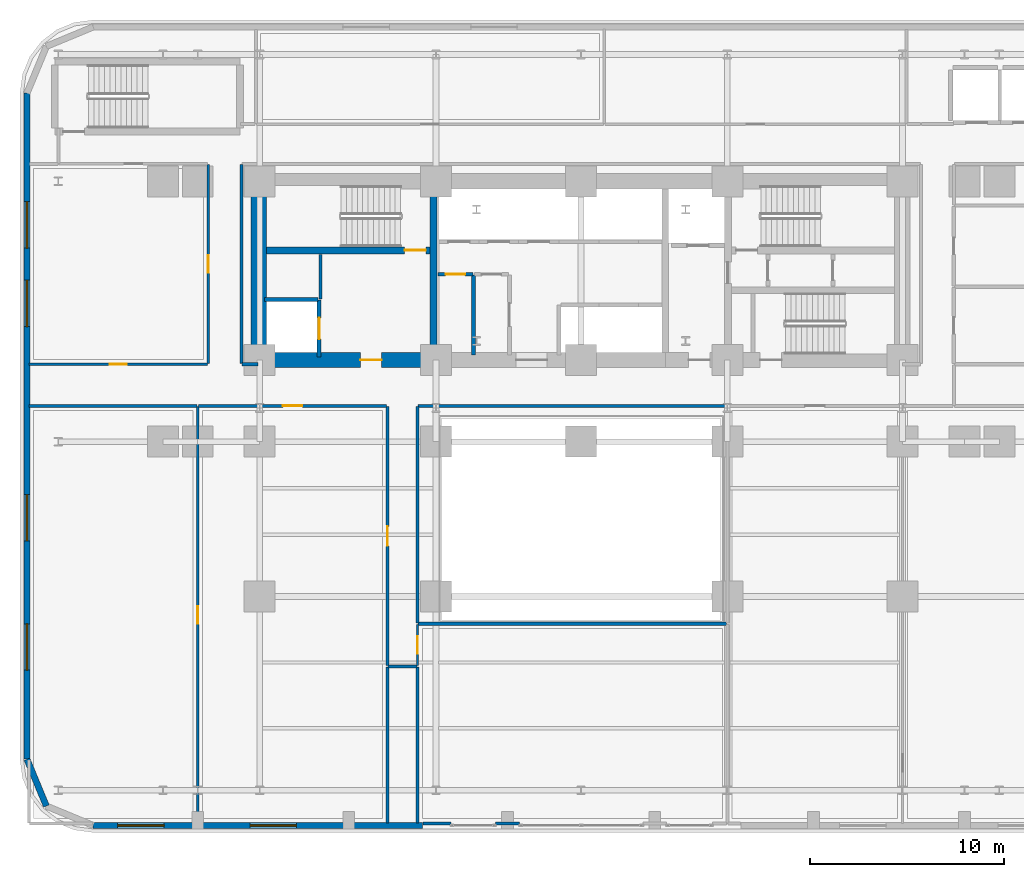
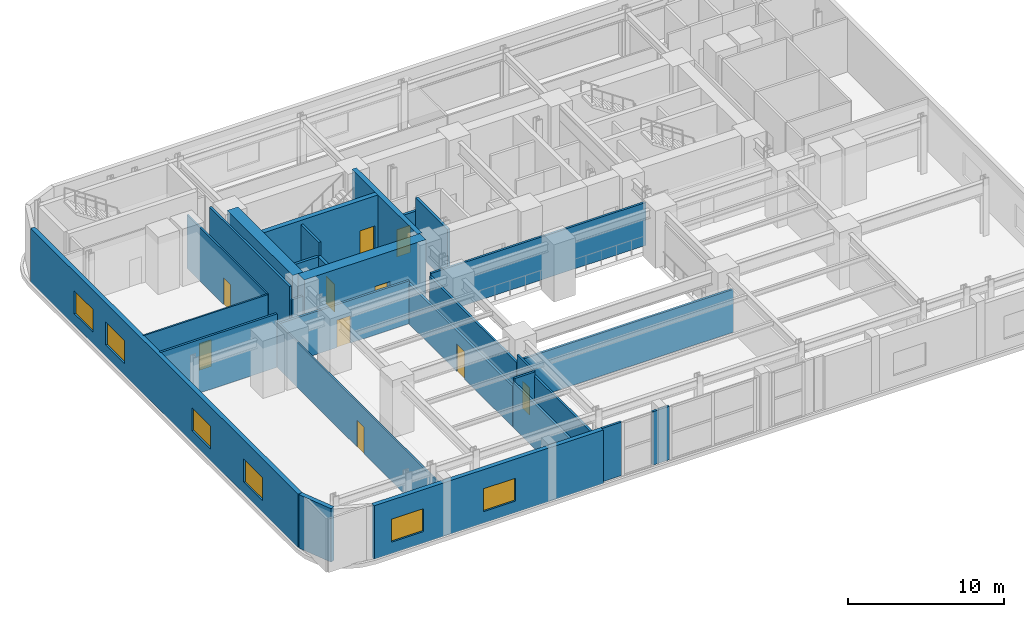
# One storey, part 6 of 14: 29 walls, 10 doors, 6 windows, 16 openings.
"""IFC4 building model written with IfcOpenShell, lengths in metres."""

from ifc_helpers import new_model, si_unit, direction, frame, frame_2d, origin, place, context, subcontext, project, spatial, rectangle, extrude, material, layer, layer_set, type_object, element, fill, save


model = new_model("IFC4")

# Units and contexts
model_context = context("Model", 3, precision=1e-05, world=origin(), true_north=direction((0.0, 1.0)))
body_context = subcontext(model_context, "Body", "Model", "MODEL_VIEW")
ifc_project = project(units=[si_unit("LENGTHUNIT", "METRE"), si_unit("AREAUNIT", "SQUARE_METRE"), si_unit("VOLUMEUNIT", "CUBIC_METRE"), si_unit("PLANEANGLEUNIT", "RADIAN"), si_unit("MASSUNIT", "GRAM", prefix="KILO")], contexts=[model_context])

# Site, building, storey
site_placement = place(None, origin())
site = spatial("IfcSite", under=ifc_project, at=site_placement, CompositionType="ELEMENT")
building_placement = place(site_placement, origin())
building = spatial("IfcBuilding", under=site, at=building_placement, Name="Zarnavel Station Tower", CompositionType="ELEMENT")
storey_placement = place(building_placement, frame((0.0, 0.0, 10.39990234375)))
storey = spatial("IfcBuildingStorey", under=building, at=storey_placement, Name="L03", CompositionType="ELEMENT", Elevation=10.39990234375)

# Wall
ifc_material_1 = material(Name="Concrete C50/60", Category="concrete")
ifc_layer_1 = layer(ifc_material_1, 0.35009765625)
ifc_layer_set_1 = layer_set([ifc_layer_1], Name="CW_350")
wall_type_1 = type_object("IfcWallType", Name="CW_350", PredefinedType="SHEAR", material=ifc_layer_set_1)
wall_1_placement = place(storey_placement, frame((21.179931640625, 28.219970703125, 0.0), z_axis=(0.0, 0.0, 1.0), x_axis=(0.0, 1.0, 0.0)))
element("IfcWall", 1, at=wall_1_placement, inside=storey, type_object=wall_type_1, Name="L03 Rear Core Shear Wall DIV-W", PredefinedType="SHEAR", context=body_context, shape_type="SweptSolid", body=[
    extrude(rectangle(XDim=8.429931640625, YDim=0.35009765625, at=frame_2d((4.21484375, 0.0))), origin(), (0.0, 0.0, 1.0), 4.5),
])

# Wall, opening, door
wall_2_placement = place(storey_placement, frame((21.0048828125, 33.47998046875, 0.0), z_axis=(0.0, 0.0, 1.0), x_axis=(-1.0, 0.0, 0.0)))
wall_2 = element("IfcWall", 2, at=wall_2_placement, inside=storey, type_object=wall_type_1, Name="L03 Rear Core Shear Wall DIV-H1", PredefinedType="SHEAR", context=body_context, shape_type="SweptSolid", body=[
    extrude(rectangle(XDim=8.454833984375, YDim=0.35009765625, at=frame_2d((4.2275390625, 0.0))), origin(), (0.0, 0.0, 1.0), 4.5),
])
opening_1_placement = place(wall_2_placement, frame((0.219970703125, 0.0, 0.0)))
opening_1 = element("IfcOpeningElement", 3, at=opening_1_placement, cuts=wall_2, Name="Opening FD01", PredefinedType="OPENING", context=body_context, shape_type="SweptSolid", body=[
    extrude(rectangle(XDim=1.10009765625, YDim=2.14990234375, at=frame_2d((0.550048828125, 1.074951171875))), frame((0.0, 0.18505859375, 0.0), z_axis=(0.0, -1.0, 0.0), x_axis=(1.0, 0.0, 0.0)), (0.0, 0.0, 1.0), 0.3701171875),
])
ifc_material_2 = material(Name="Painted Galvanised Steel and Hardwood Leaf", Category="steel")
door_type_1 = type_object("IfcDoorType", Name="ID_STAIR_1100", OperationType="NOTDEFINED", PredefinedType="DOOR", material=ifc_material_2)
door_1_placement = place(opening_1_placement, origin())
door_1 = element("IfcDoor", 4, at=door_1_placement, inside=storey, type_object=door_type_1, Name="L03 Stair ST1 Lobby Fire Door", OperationType="SINGLE_SWING_LEFT", OverallHeight=2.14990234375, OverallWidth=1.10009765625, PredefinedType="DOOR", context=body_context, shape_type="SweptSolid", body=[
    extrude(rectangle(XDim=1.10009765625, YDim=2.14990234375, at=frame_2d((0.550048828125, 1.074951171875))), frame((0.0, 0.02490234375, 0.0), z_axis=(0.0, -1.0, 0.0), x_axis=(1.0, 0.0, 0.0)), (0.0, 0.0, 1.0), 0.050048828125),
])
fill(opening_1, door_1)

ifc_material_3 = material(Name="Concrete C60/75", Category="concrete")
ifc_layer_2 = layer(ifc_material_3, 0.800048828125)
ifc_layer_set_2 = layer_set([ifc_layer_2], Name="CW_800")
wall_type_2 = type_object("IfcWallType", Name="CW_800", PredefinedType="SHEAR", material=ifc_layer_set_2)
wall_3_placement = place(storey_placement, frame((21.179931640625, 27.820068359375, 0.0), z_axis=(0.0, 0.0, 1.0), x_axis=(-1.0, 0.0, 0.0)))
wall_3 = element("IfcWall", 5, at=wall_3_placement, inside=storey, type_object=wall_type_2, Name="L03 Rear Core Shear Wall S-W", PredefinedType="SHEAR", context=body_context, shape_type="SweptSolid", body=[
    extrude(rectangle(XDim=9.030029296875, YDim=0.800048828125, at=frame_2d((4.51513671875, 0.0))), origin(), (0.0, 0.0, 1.0), 4.5),
])
opening_2_placement = place(wall_3_placement, frame((2.679931640625, 0.0, 0.0)))
opening_2 = element("IfcOpeningElement", 6, at=opening_2_placement, cuts=wall_3, Name="Opening FD01", PredefinedType="OPENING", context=body_context, shape_type="SweptSolid", body=[
    extrude(rectangle(XDim=1.10009765625, YDim=2.14990234375, at=frame_2d((0.550048828125, 1.074951171875))), frame((0.0, 0.409912109375, 0.0), z_axis=(0.0, -1.0, 0.0), x_axis=(1.0, 0.0, 0.0)), (0.0, 0.0, 1.0), 0.820068359375),
])
door_2_placement = place(opening_2_placement, origin())
door_2 = element("IfcDoor", 7, at=door_2_placement, inside=storey, type_object=door_type_1, Name="L03 West Firefighting Lobby Door", OperationType="SINGLE_SWING_RIGHT", OverallHeight=2.14990234375, OverallWidth=1.10009765625, PredefinedType="DOOR", context=body_context, shape_type="SweptSolid", body=[
    extrude(rectangle(XDim=1.10009765625, YDim=2.14990234375, at=frame_2d((0.550048828125, 1.074951171875))), frame((0.0, 0.02490234375, 0.0), z_axis=(0.0, -1.0, 0.0), x_axis=(1.0, 0.0, 0.0)), (0.0, 0.0, 1.0), 0.050048828125),
])
fill(opening_2, door_2)

# Wall
wall_4_placement = place(storey_placement, frame((12.14990234375, 28.219970703125, 0.0), z_axis=(0.0, 0.0, 1.0), x_axis=(0.0, 1.0, 0.0)))
element("IfcWall", 8, at=wall_4_placement, inside=storey, type_object=wall_type_2, Name="L03 Rear Core Shear Wall W", PredefinedType="SHEAR", context=body_context, shape_type="SweptSolid", body=[
    extrude(rectangle(XDim=8.429931640625, YDim=0.800048828125, at=frame_2d((4.21484375, 0.0))), origin(), (0.0, 0.0, 1.0), 4.5),
])

# Wall, openings, windows
ifc_material_4 = material(Name="Precast concrete C45/55 (Podium Basalt Frame)", Category="masonry")
ifc_layer_3 = layer(ifc_material_4, 0.320068359375)
ifc_layer_set_3 = layer_set([ifc_layer_3], Name="EW_BASALT_320")
wall_type_3 = type_object("IfcWallType", Name="EW_BASALT_320", PredefinedType="SOLIDWALL", material=ifc_layer_set_3)
wall_5_placement = place(storey_placement, frame((0.179931640625, 7.199951171875, 0.0), z_axis=(0.0, 0.0, 1.0), x_axis=(0.0, 1.0, 0.0)))
wall_5 = element("IfcWall", 9, at=wall_5_placement, inside=storey, type_object=wall_type_3, Name="L03 Exterior Basalt Masonry Frame Wall 09", PredefinedType="SOLIDWALL", context=body_context, shape_type="SweptSolid", body=[
    extrude(rectangle(XDim=34.400146484375, YDim=0.320068359375, at=frame_2d((17.2001953125, 0.0))), origin(), (0.0, 0.0, 1.0), 4.2001953125),
])
opening_3_placement = place(wall_5_placement, frame((22.35009765625, 0.0, 0.89990234375)))
opening_3 = element("IfcOpeningElement", 10, at=opening_3_placement, cuts=wall_5, Name="Opening WN03", PredefinedType="OPENING", context=body_context, shape_type="SweptSolid", body=[
    extrude(rectangle(XDim=2.39990234375, YDim=1.800048828125, at=frame_2d((1.199951171875, 0.89990234375))), frame((0.0, 0.169921875, 0.0), z_axis=(0.0, -1.0, 0.0), x_axis=(1.0, 0.0, 0.0)), (0.0, 0.0, 1.0), 0.340087890625),
])
opening_4_placement = place(wall_5_placement, frame((26.39990234375, 0.0, 0.89990234375)))
opening_4 = element("IfcOpeningElement", 11, at=opening_4_placement, cuts=wall_5, Name="Opening WN03", PredefinedType="OPENING", context=body_context, shape_type="SweptSolid", body=[
    extrude(rectangle(XDim=2.39990234375, YDim=1.800048828125, at=frame_2d((1.199951171875, 0.89990234375))), frame((0.0, 0.169921875, 0.0), z_axis=(0.0, -1.0, 0.0), x_axis=(1.0, 0.0, 0.0)), (0.0, 0.0, 1.0), 0.340087890625),
])
opening_5_placement = place(wall_5_placement, frame((4.5966796875, 0.0, 0.89990234375)))
opening_5 = element("IfcOpeningElement", 12, at=opening_5_placement, cuts=wall_5, Name="Opening WN03", PredefinedType="OPENING", context=body_context, shape_type="SweptSolid", body=[
    extrude(rectangle(XDim=2.39990234375, YDim=1.800048828125, at=frame_2d((1.199951171875, 0.89990234375))), frame((0.0, 0.169921875, 0.0), z_axis=(0.0, -1.0, 0.0), x_axis=(1.0, 0.0, 0.0)), (0.0, 0.0, 1.0), 0.340087890625),
])
opening_6_placement = place(wall_5_placement, frame((11.273193359375, 0.0, 0.89990234375)))
opening_6 = element("IfcOpeningElement", 13, at=opening_6_placement, cuts=wall_5, Name="Opening WN03", PredefinedType="OPENING", context=body_context, shape_type="SweptSolid", body=[
    extrude(rectangle(XDim=2.39990234375, YDim=1.800048828125, at=frame_2d((1.199951171875, 0.89990234375))), frame((0.0, 0.169921875, 0.0), z_axis=(0.0, -1.0, 0.0), x_axis=(1.0, 0.0, 0.0)), (0.0, 0.0, 1.0), 0.340087890625),
])
ifc_material_5 = material(Name="Thermally Broken Black Aluminium and Low-E Dark Glass", Category="aluminium")
window_type = type_object("IfcWindowType", Name="WN_2400x1800", PartitioningType="TRIPLE_PANEL_VERTICAL", PredefinedType="WINDOW", material=ifc_material_5)
window_1_placement = place(opening_3_placement, origin())
window_1 = element("IfcWindow", 14, at=window_1_placement, inside=storey, type_object=window_type, Name="L03 Recessed Facade Window 01", OverallHeight=1.800048828125, OverallWidth=2.39990234375, PartitioningType="SINGLE_PANEL", PredefinedType="WINDOW", context=body_context, shape_type="SweptSolid", body=[
    extrude(rectangle(XDim=2.39990234375, YDim=1.800048828125, at=frame_2d((1.199951171875, 0.89990234375))), frame((0.0, 0.030029296875, 0.0), z_axis=(0.0, -1.0, 0.0), x_axis=(1.0, 0.0, 0.0)), (0.0, 0.0, 1.0), 0.06005859375),
])
fill(opening_3, window_1)
window_2_placement = place(opening_4_placement, origin())
window_2 = element("IfcWindow", 15, at=window_2_placement, inside=storey, type_object=window_type, Name="L03 Recessed Facade Window 02", OverallHeight=1.800048828125, OverallWidth=2.39990234375, PartitioningType="SINGLE_PANEL", PredefinedType="WINDOW", context=body_context, shape_type="SweptSolid", body=[
    extrude(rectangle(XDim=2.39990234375, YDim=1.800048828125, at=frame_2d((1.199951171875, 0.89990234375))), frame((0.0, 0.030029296875, 0.0), z_axis=(0.0, -1.0, 0.0), x_axis=(1.0, 0.0, 0.0)), (0.0, 0.0, 1.0), 0.06005859375),
])
fill(opening_4, window_2)
window_3_placement = place(opening_5_placement, origin())
window_3 = element("IfcWindow", 16, at=window_3_placement, inside=storey, type_object=window_type, Name="L03 Recessed Facade Window 03", OverallHeight=1.800048828125, OverallWidth=2.39990234375, PartitioningType="SINGLE_PANEL", PredefinedType="WINDOW", context=body_context, shape_type="SweptSolid", body=[
    extrude(rectangle(XDim=2.39990234375, YDim=1.800048828125, at=frame_2d((1.199951171875, 0.89990234375))), frame((0.0, 0.030029296875, 0.0), z_axis=(0.0, -1.0, 0.0), x_axis=(1.0, 0.0, 0.0)), (0.0, 0.0, 1.0), 0.06005859375),
])
fill(opening_5, window_3)
window_4_placement = place(opening_6_placement, origin())
window_4 = element("IfcWindow", 17, at=window_4_placement, inside=storey, type_object=window_type, Name="L03 Recessed Facade Window 04", OverallHeight=1.800048828125, OverallWidth=2.39990234375, PartitioningType="SINGLE_PANEL", PredefinedType="WINDOW", context=body_context, shape_type="SweptSolid", body=[
    extrude(rectangle(XDim=2.39990234375, YDim=1.800048828125, at=frame_2d((1.199951171875, 0.89990234375))), frame((0.0, 0.030029296875, 0.0), z_axis=(0.0, -1.0, 0.0), x_axis=(1.0, 0.0, 0.0)), (0.0, 0.0, 1.0), 0.06005859375),
])
fill(opening_6, window_4)

# Wall
wall_6_placement = place(storey_placement, frame((1.181640625, 4.78173828125, 0.0), z_axis=(0.0, 0.0, 1.0), x_axis=(-0.382700522567, 0.923872453333, 0.0)))
element("IfcWall", 18, at=wall_6_placement, inside=storey, type_object=wall_type_3, Name="L03 Exterior Basalt Masonry Frame Wall 10", PredefinedType="SOLIDWALL", context=body_context, shape_type="SweptSolid", body=[
    extrude(rectangle(XDim=2.617431640625, YDim=0.320068359375, at=frame_2d((1.30859375, 0.0))), origin(), (0.0, 0.0, 1.0), 4.2001953125),
])

# Wall, openings, windows
wall_7_placement = place(storey_placement, frame((20.60009765625, 3.780029296875, 0.0), z_axis=(0.0, 0.0, 1.0), x_axis=(-1.0, 0.0, 0.0)))
wall_7 = element("IfcWall", 19, at=wall_7_placement, inside=storey, type_object=wall_type_3, Name="L03 South West Masonry Facade Wall", PredefinedType="SOLIDWALL", context=body_context, shape_type="SweptSolid", body=[
    extrude(rectangle(XDim=17.0, YDim=0.320068359375, at=frame_2d((8.5, 0.0))), origin(), (0.0, 0.0, 1.0), 4.2001953125),
])
opening_7_placement = place(wall_7_placement, frame((13.337890625, 0.0, 0.89990234375)))
opening_7 = element("IfcOpeningElement", 20, at=opening_7_placement, cuts=wall_7, Name="Opening WN03", PredefinedType="OPENING", context=body_context, shape_type="SweptSolid", body=[
    extrude(rectangle(XDim=2.39990234375, YDim=1.800048828125, at=frame_2d((1.199951171875, 0.89990234375))), frame((0.0, 0.169921875, 0.0), z_axis=(0.0, -1.0, 0.0), x_axis=(1.0, 0.0, 0.0)), (0.0, 0.0, 1.0), 0.340087890625),
])
opening_8_placement = place(wall_7_placement, frame((6.5, 0.0, 0.89990234375)))
opening_8 = element("IfcOpeningElement", 21, at=opening_8_placement, cuts=wall_7, Name="Opening WN03", PredefinedType="OPENING", context=body_context, shape_type="SweptSolid", body=[
    extrude(rectangle(XDim=2.39990234375, YDim=1.800048828125, at=frame_2d((1.199951171875, 0.89990234375))), frame((0.0, 0.169921875, 0.0), z_axis=(0.0, -1.0, 0.0), x_axis=(1.0, 0.0, 0.0)), (0.0, 0.0, 1.0), 0.340087890625),
])
window_5_placement = place(opening_7_placement, origin())
window_5 = element("IfcWindow", 22, at=window_5_placement, inside=storey, type_object=window_type, Name="L03 Recessed Facade Window 01", OverallHeight=1.800048828125, OverallWidth=2.39990234375, PartitioningType="SINGLE_PANEL", PredefinedType="WINDOW", context=body_context, shape_type="SweptSolid", body=[
    extrude(rectangle(XDim=2.39990234375, YDim=1.800048828125, at=frame_2d((1.199951171875, 0.89990234375))), frame((0.0, 0.030029296875, 0.0), z_axis=(0.0, -1.0, 0.0), x_axis=(1.0, 0.0, 0.0)), (0.0, 0.0, 1.0), 0.06005859375),
])
fill(opening_7, window_5)
window_6_placement = place(opening_8_placement, origin())
window_6 = element("IfcWindow", 23, at=window_6_placement, inside=storey, type_object=window_type, Name="L03 Recessed Facade Window 02", OverallHeight=1.800048828125, OverallWidth=2.39990234375, PartitioningType="SINGLE_PANEL", PredefinedType="WINDOW", context=body_context, shape_type="SweptSolid", body=[
    extrude(rectangle(XDim=2.39990234375, YDim=1.800048828125, at=frame_2d((1.199951171875, 0.89990234375))), frame((0.0, 0.030029296875, 0.0), z_axis=(0.0, -1.0, 0.0), x_axis=(1.0, 0.0, 0.0)), (0.0, 0.0, 1.0), 0.06005859375),
])
fill(opening_8, window_6)

# Wall
ifc_material_6 = material(Name="Gypsum Twin-Stud Acoustic Fire Partition", Category="concrete")
ifc_layer_4 = layer(ifc_material_6, 0.159912109375)
ifc_layer_set_4 = layer_set([ifc_layer_4], Name="PT_DEMISE_160")
wall_type_4 = type_object("IfcWallType", Name="PT_DEMISE_160", PredefinedType="PARTITIONING", material=ifc_layer_set_4)
wall_8_placement = place(storey_placement, frame((0.280029296875, 25.449951171875, 0.0), z_axis=(0.0, 0.0, 1.0), x_axis=(1.0, 0.0, 0.0)))
element("IfcWall", 24, at=wall_8_placement, inside=storey, type_object=wall_type_4, Name="L03 Partition PCOR-S-DEPTW", PredefinedType="PARTITIONING", context=body_context, shape_type="SweptSolid", body=[
    extrude(rectangle(XDim=8.679931640625, YDim=0.159912109375, at=frame_2d((4.33984375, 0.0))), origin(), (0.0, 0.0, 1.0), 4.2001953125),
])

# Wall, opening, door
wall_9_placement = place(storey_placement, frame((9.0400390625, 25.449951171875, 0.0), z_axis=(0.0, 0.0, 1.0), x_axis=(1.0, 0.0, 0.0)))
wall_9 = element("IfcWall", 25, at=wall_9_placement, inside=storey, type_object=wall_type_4, Name="L03 Partition PCOR-S-DEPT", PredefinedType="PARTITIONING", context=body_context, shape_type="SweptSolid", body=[
    extrude(rectangle(XDim=9.719970703125, YDim=0.159912109375, at=frame_2d((4.85986328125, 0.0))), origin(), (0.0, 0.0, 1.0), 3.3662109375),
])
opening_9_placement = place(wall_9_placement, frame((4.360107421875, 0.0, 0.0)))
opening_9 = element("IfcOpeningElement", 26, at=opening_9_placement, cuts=wall_9, Name="Opening FD02", PredefinedType="OPENING", context=body_context, shape_type="SweptSolid", body=[
    extrude(rectangle(XDim=1.0, YDim=2.14990234375, at=frame_2d((0.5, 1.074951171875))), frame((0.0, 0.08984375, 0.0), z_axis=(0.0, -1.0, 0.0), x_axis=(1.0, 0.0, 0.0)), (0.0, 0.0, 1.0), 0.179931640625),
])
ifc_material_7 = material(Name="Painted Galvanised Steel and Hardwood Leaf", Category="steel")
door_type_2 = type_object("IfcDoorType", Name="ID_ENTRY_1000", OperationType="NOTDEFINED", PredefinedType="DOOR", material=ifc_material_7)
door_3_placement = place(opening_9_placement, origin())
door_3 = element("IfcDoor", 27, at=door_3_placement, inside=storey, type_object=door_type_2, Name="L03 Door PCOR-S-DEPT", OperationType="SINGLE_SWING_RIGHT", OverallHeight=2.14990234375, OverallWidth=1.0, PredefinedType="DOOR", context=body_context, shape_type="SweptSolid", body=[
    extrude(rectangle(XDim=1.0, YDim=2.14990234375, at=frame_2d((0.5, 1.074951171875))), frame((0.0, 0.02490234375, 0.0), z_axis=(0.0, -1.0, 0.0), x_axis=(1.0, 0.0, 0.0)), (0.0, 0.0, 1.0), 0.050048828125),
])
fill(opening_9, door_3)

wall_10_placement = place(storey_placement, frame((18.800048828125, 12.0400390625, 0.0), z_axis=(0.0, 0.0, 1.0), x_axis=(0.0, 1.0, 0.0)))
wall_10 = element("IfcWall", 28, at=wall_10_placement, inside=storey, type_object=wall_type_4, Name="L03 Partition PCOR-AW-DEPT", PredefinedType="PARTITIONING", context=body_context, shape_type="SweptSolid", body=[
    extrude(rectangle(XDim=13.369873046875, YDim=0.159912109375, at=frame_2d((6.68505859375, 0.0))), origin(), (0.0, 0.0, 1.0), 3.172119140625),
])
opening_10_placement = place(wall_10_placement, frame((6.18505859375, 0.0, 0.0)))
opening_10 = element("IfcOpeningElement", 29, at=opening_10_placement, cuts=wall_10, Name="Opening FD02", PredefinedType="OPENING", context=body_context, shape_type="SweptSolid", body=[
    extrude(rectangle(XDim=1.0, YDim=2.14990234375, at=frame_2d((0.5, 1.074951171875))), frame((0.0, 0.08984375, 0.0), z_axis=(0.0, -1.0, 0.0), x_axis=(1.0, 0.0, 0.0)), (0.0, 0.0, 1.0), 0.179931640625),
])
door_4_placement = place(opening_10_placement, origin())
door_4 = element("IfcDoor", 30, at=door_4_placement, inside=storey, type_object=door_type_2, Name="L03 Door PCOR-AW-DEPT", OperationType="SINGLE_SWING_LEFT", OverallHeight=2.14990234375, OverallWidth=1.0, PredefinedType="DOOR", context=body_context, shape_type="SweptSolid", body=[
    extrude(rectangle(XDim=1.0, YDim=2.14990234375, at=frame_2d((0.5, 1.074951171875))), frame((0.0, 0.02490234375, 0.0), z_axis=(0.0, -1.0, 0.0), x_axis=(1.0, 0.0, 0.0)), (0.0, 0.0, 1.0), 0.050048828125),
])
fill(opening_10, door_4)

# Walls
wall_11_placement = place(storey_placement, frame((15.35009765625, 30.9599609375, 0.0), z_axis=(0.0, 0.0, 1.0), x_axis=(0.0, 1.0, 0.0)))
element("IfcWall", 31, at=wall_11_placement, inside=storey, type_object=wall_type_4, Name="L03 Enclosure Wall FFL1", PredefinedType="PARTITIONING", context=body_context, shape_type="SweptSolid", body=[
    extrude(rectangle(XDim=2.31005859375, YDim=0.159912109375, at=frame_2d((1.155029296875, 0.0))), origin(), (0.0, 0.0, 1.0), 4.2001953125),
])
wall_12_placement = place(storey_placement, frame((20.3798828125, 25.449951171875, 0.0), z_axis=(0.0, 0.0, 1.0), x_axis=(1.0, 0.0, 0.0)))
element("IfcWall", 32, at=wall_12_placement, inside=storey, type_object=wall_type_4, Name="L03 Enclosure Wall PCOR-S", PredefinedType="PARTITIONING", context=body_context, shape_type="SweptSolid", body=[
    extrude(rectangle(XDim=15.940185546875, YDim=0.159912109375, at=frame_2d((7.97021484375, 0.0))), origin(), (0.0, 0.0, 1.0), 3.3662109375),
])
wall_13_placement = place(storey_placement, frame((11.280029296875, 27.60009765625, 0.0), z_axis=(0.0, 0.0, 1.0), x_axis=(1.0, 0.0, 0.0)))
element("IfcWall", 33, at=wall_13_placement, inside=storey, type_object=wall_type_4, Name="L03 Enclosure Wall PCOR-S", PredefinedType="PARTITIONING", context=body_context, shape_type="SweptSolid", body=[
    extrude(rectangle(XDim=0.840087890625, YDim=0.159912109375, at=frame_2d((0.419921875, 0.0))), origin(), (0.0, 0.0, 1.0), 3.172119140625),
])
wall_14_placement = place(storey_placement, frame((11.25, 27.6298828125, 0.0), z_axis=(0.0, 0.0, 1.0), x_axis=(0.0, 1.0, 0.0)))
element("IfcWall", 34, at=wall_14_placement, inside=storey, type_object=wall_type_4, Name="L03 Enclosure Wall PCOR-W", PredefinedType="PARTITIONING", context=body_context, shape_type="SweptSolid", body=[
    extrude(rectangle(XDim=10.2900390625, YDim=0.159912109375, at=frame_2d((5.14501953125, 0.0))), origin(), (0.0, 0.0, 1.0), 4.2001953125),
])
wall_15_placement = place(storey_placement, frame((18.830078125, 12.0, 0.0), z_axis=(0.0, 0.0, 1.0), x_axis=(1.0, 0.0, 0.0)))
element("IfcWall", 35, at=wall_15_placement, inside=storey, type_object=wall_type_4, Name="L03 Enclosure Wall PCOR-AW", PredefinedType="PARTITIONING", context=body_context, shape_type="SweptSolid", body=[
    extrude(rectangle(XDim=1.489990234375, YDim=0.159912109375, at=frame_2d((0.7451171875, 0.0))), origin(), (0.0, 0.0, 1.0), 3.820068359375),
])
wall_16_placement = place(storey_placement, frame((20.35009765625, 14.22998046875, 0.0), z_axis=(0.0, 0.0, 1.0), x_axis=(0.0, 1.0, 0.0)))
element("IfcWall", 36, at=wall_16_placement, inside=storey, type_object=wall_type_4, Name="L03 Enclosure Wall PCOR-AW", PredefinedType="PARTITIONING", context=body_context, shape_type="SweptSolid", body=[
    extrude(rectangle(XDim=11.18994140625, YDim=0.159912109375, at=frame_2d((5.594970703125, 0.0))), origin(), (0.0, 0.0, 1.0), 3.172119140625),
])
wall_17_placement = place(storey_placement, frame((18.800048828125, 3.909912109375, 0.0), z_axis=(0.0, 0.0, 1.0), x_axis=(0.0, 1.0, 0.0)))
element("IfcWall", 37, at=wall_17_placement, inside=storey, type_object=wall_type_4, Name="L03 Enclosure Wall DEPT", PredefinedType="PARTITIONING", context=body_context, shape_type="SweptSolid", body=[
    extrude(rectangle(XDim=8.06005859375, YDim=0.159912109375, at=frame_2d((4.030029296875, 0.0))), origin(), (0.0, 0.0, 1.0), 3.530029296875),
])
wall_18_placement = place(storey_placement, frame((20.6298828125, 3.8798828125, 0.0), z_axis=(0.0, 0.0, 1.0), x_axis=(1.0, 0.0, 0.0)))
element("IfcWall", 38, at=wall_18_placement, inside=storey, type_object=wall_type_4, Name="L03 Enclosure Wall SBTH", PredefinedType="PARTITIONING", context=body_context, shape_type="SweptSolid", body=[
    extrude(rectangle(XDim=1.440185546875, YDim=0.159912109375, at=frame_2d((0.72021484375, 0.0))), origin(), (0.0, 0.0, 1.0), 4.2001953125),
])
wall_19_placement = place(storey_placement, frame((24.385986328125, 3.8798828125, 0.0), z_axis=(0.0, 0.0, 1.0), x_axis=(1.0, 0.0, 0.0)))
element("IfcWall", 39, at=wall_19_placement, inside=storey, type_object=wall_type_4, Name="L03 Enclosure Wall SBTH", PredefinedType="PARTITIONING", context=body_context, shape_type="SweptSolid", body=[
    extrude(rectangle(XDim=1.22802734375, YDim=0.159912109375, at=frame_2d((0.614013671875, 0.0))), origin(), (0.0, 0.0, 1.0), 4.2001953125),
])
wall_20_placement = place(storey_placement, frame((20.3798828125, 14.199951171875, 0.0), z_axis=(0.0, 0.0, 1.0), x_axis=(1.0, 0.0, 0.0)))
element("IfcWall", 40, at=wall_20_placement, inside=storey, type_object=wall_type_4, Name="L03 Enclosure Wall SBTH", PredefinedType="PARTITIONING", context=body_context, shape_type="SweptSolid", body=[
    extrude(rectangle(XDim=15.940185546875, YDim=0.159912109375, at=frame_2d((7.97021484375, 0.0))), origin(), (0.0, 0.0, 1.0), 3.3662109375),
])
wall_21_placement = place(storey_placement, frame((20.35009765625, 3.909912109375, 0.0), z_axis=(0.0, 0.0, 1.0), x_axis=(0.0, 1.0, 0.0)))
element("IfcWall", 41, at=wall_21_placement, inside=storey, type_object=wall_type_4, Name="L03 Enclosure Wall SBTH", PredefinedType="PARTITIONING", context=body_context, shape_type="SweptSolid", body=[
    extrude(rectangle(XDim=8.06005859375, YDim=0.159912109375, at=frame_2d((4.030029296875, 0.0))), origin(), (0.0, 0.0, 1.0), 3.530029296875),
])

# Wall, opening, door
ifc_material_8 = material(Name="Gypsum Metal-Stud Interior Partition", Category="concrete")
ifc_layer_5 = layer(ifc_material_8, 0.1201171875)
ifc_layer_set_5 = layer_set([ifc_layer_5], Name="PT_ROOM_120")
wall_type_5 = type_object("IfcWallType", Name="PT_ROOM_120", PredefinedType="PARTITIONING", material=ifc_layer_set_5)
wall_22_placement = place(storey_placement, frame((0.280029296875, 27.60009765625, 0.0), z_axis=(0.0, 0.0, 1.0), x_axis=(1.0, 0.0, 0.0)))
wall_22 = element("IfcWall", 42, at=wall_22_placement, inside=storey, type_object=wall_type_5, Name="L03 Partition PCOR-S-PNW", PredefinedType="PARTITIONING", context=body_context, shape_type="SweptSolid", body=[
    extrude(rectangle(XDim=9.22998046875, YDim=0.1201171875, at=frame_2d((4.614990234375, 0.0))), origin(), (0.0, 0.0, 1.0), 4.2001953125),
])
opening_11_placement = place(wall_22_placement, frame((4.1650390625, 0.0, 0.0)))
opening_11 = element("IfcOpeningElement", 43, at=opening_11_placement, cuts=wall_22, Name="Opening ID01", PredefinedType="OPENING", context=body_context, shape_type="SweptSolid", body=[
    extrude(rectangle(XDim=0.89990234375, YDim=2.10009765625, at=frame_2d((0.449951171875, 1.050048828125))), frame((0.0, 0.070068359375, 0.0), z_axis=(0.0, -1.0, 0.0), x_axis=(1.0, 0.0, 0.0)), (0.0, 0.0, 1.0), 0.14013671875),
])
ifc_material_9 = material(Name="Painted Galvanised Steel and Hardwood Leaf", Category="steel")
door_type_3 = type_object("IfcDoorType", Name="ID_ROOM_900", OperationType="NOTDEFINED", PredefinedType="DOOR", material=ifc_material_9)
door_5_placement = place(opening_11_placement, origin())
door_5 = element("IfcDoor", 44, at=door_5_placement, inside=storey, type_object=door_type_3, Name="L03 Door PCOR-S-PNW", OperationType="SINGLE_SWING_LEFT", OverallHeight=2.10009765625, OverallWidth=0.89990234375, PredefinedType="DOOR", context=body_context, shape_type="SweptSolid", body=[
    extrude(rectangle(XDim=0.89990234375, YDim=2.10009765625, at=frame_2d((0.449951171875, 1.050048828125))), frame((0.0, 0.02490234375, 0.0), z_axis=(0.0, -1.0, 0.0), x_axis=(1.0, 0.0, 0.0)), (0.0, 0.0, 1.0), 0.050048828125),
])
fill(opening_11, door_5)

wall_23_placement = place(storey_placement, frame((9.550048828125, 27.639892578125, 0.0), z_axis=(0.0, 0.0, 1.0), x_axis=(0.0, 1.0, 0.0)))
wall_23 = element("IfcWall", 45, at=wall_23_placement, inside=storey, type_object=wall_type_5, Name="L03 Partition PCOR-W-PNW", PredefinedType="PARTITIONING", context=body_context, shape_type="SweptSolid", body=[
    extrude(rectangle(XDim=10.27001953125, YDim=0.1201171875, at=frame_2d((5.135009765625, 0.0))), origin(), (0.0, 0.0, 1.0), 4.2001953125),
])
opening_12_placement = place(wall_23_placement, frame((4.68505859375, 0.0, 0.0)))
opening_12 = element("IfcOpeningElement", 46, at=opening_12_placement, cuts=wall_23, Name="Opening ID01", PredefinedType="OPENING", context=body_context, shape_type="SweptSolid", body=[
    extrude(rectangle(XDim=0.89990234375, YDim=2.10009765625, at=frame_2d((0.449951171875, 1.050048828125))), frame((0.0, 0.070068359375, 0.0), z_axis=(0.0, -1.0, 0.0), x_axis=(1.0, 0.0, 0.0)), (0.0, 0.0, 1.0), 0.14013671875),
])
door_6_placement = place(opening_12_placement, origin())
door_6 = element("IfcDoor", 47, at=door_6_placement, inside=storey, type_object=door_type_3, Name="L03 Door PCOR-W-PNW", OperationType="SINGLE_SWING_RIGHT", OverallHeight=2.10009765625, OverallWidth=0.89990234375, PredefinedType="DOOR", context=body_context, shape_type="SweptSolid", body=[
    extrude(rectangle(XDim=0.89990234375, YDim=2.10009765625, at=frame_2d((0.449951171875, 1.050048828125))), frame((0.0, 0.02490234375, 0.0), z_axis=(0.0, -1.0, 0.0), x_axis=(1.0, 0.0, 0.0)), (0.0, 0.0, 1.0), 0.050048828125),
])
fill(opening_12, door_6)

wall_24_placement = place(storey_placement, frame((20.35009765625, 12.0400390625, 0.0), z_axis=(0.0, 0.0, 1.0), x_axis=(0.0, 1.0, 0.0)))
wall_24 = element("IfcWall", 48, at=wall_24_placement, inside=storey, type_object=wall_type_5, Name="L03 Partition PCOR-AW-SBTH", PredefinedType="PARTITIONING", context=body_context, shape_type="SweptSolid", body=[
    extrude(rectangle(XDim=2.119873046875, YDim=0.1201171875, at=frame_2d((1.06005859375, 0.0))), origin(), (0.0, 0.0, 1.0), 3.820068359375),
])
opening_13_placement = place(wall_24_placement, frame((0.610107421875, 0.0, 0.0)))
opening_13 = element("IfcOpeningElement", 49, at=opening_13_placement, cuts=wall_24, Name="Opening ID01", PredefinedType="OPENING", context=body_context, shape_type="SweptSolid", body=[
    extrude(rectangle(XDim=0.89990234375, YDim=2.10009765625, at=frame_2d((0.449951171875, 1.050048828125))), frame((0.0, 0.070068359375, 0.0), z_axis=(0.0, -1.0, 0.0), x_axis=(1.0, 0.0, 0.0)), (0.0, 0.0, 1.0), 0.14013671875),
])
door_7_placement = place(opening_13_placement, origin())
door_7 = element("IfcDoor", 50, at=door_7_placement, inside=storey, type_object=door_type_3, Name="L03 Door PCOR-AW-SBTH", OperationType="SINGLE_SWING_RIGHT", OverallHeight=2.10009765625, OverallWidth=0.89990234375, PredefinedType="DOOR", context=body_context, shape_type="SweptSolid", body=[
    extrude(rectangle(XDim=0.89990234375, YDim=2.10009765625, at=frame_2d((0.449951171875, 1.050048828125))), frame((0.0, 0.02490234375, 0.0), z_axis=(0.0, -1.0, 0.0), x_axis=(1.0, 0.0, 0.0)), (0.0, 0.0, 1.0), 0.050048828125),
])
fill(opening_13, door_7)

wall_25_placement = place(storey_placement, frame((9.0, 3.8798828125, 0.0), z_axis=(0.0, 0.0, 1.0), x_axis=(0.0, 1.0, 0.0)))
wall_25 = element("IfcWall", 51, at=wall_25_placement, inside=storey, type_object=wall_type_5, Name="L03 Partition DEPTW-DEPT", PredefinedType="PARTITIONING", context=body_context, shape_type="SweptSolid", body=[
    extrude(rectangle(XDim=21.530029296875, YDim=0.1201171875, at=frame_2d((10.76513671875, 0.0))), origin(), (0.0, 0.0, 1.0), 3.530029296875),
])
opening_14_placement = place(wall_25_placement, frame((10.31494140625, 0.0, 0.0)))
opening_14 = element("IfcOpeningElement", 52, at=opening_14_placement, cuts=wall_25, Name="Opening ID01", PredefinedType="OPENING", context=body_context, shape_type="SweptSolid", body=[
    extrude(rectangle(XDim=0.89990234375, YDim=2.10009765625, at=frame_2d((0.449951171875, 1.050048828125))), frame((0.0, 0.070068359375, 0.0), z_axis=(0.0, -1.0, 0.0), x_axis=(1.0, 0.0, 0.0)), (0.0, 0.0, 1.0), 0.14013671875),
])
door_8_placement = place(opening_14_placement, origin())
door_8 = element("IfcDoor", 53, at=door_8_placement, inside=storey, type_object=door_type_3, Name="L03 Door DEPTW-DEPT", OperationType="SINGLE_SWING_LEFT", OverallHeight=2.10009765625, OverallWidth=0.89990234375, PredefinedType="DOOR", context=body_context, shape_type="SweptSolid", body=[
    extrude(rectangle(XDim=0.89990234375, YDim=2.10009765625, at=frame_2d((0.449951171875, 1.050048828125))), frame((0.0, 0.02490234375, 0.0), z_axis=(0.0, -1.0, 0.0), x_axis=(1.0, 0.0, 0.0)), (0.0, 0.0, 1.0), 0.050048828125),
])
fill(opening_14, door_8)

ifc_material_10 = material(Name="Precast concrete C45/55 (Fire Shaft Blockwork)", Category="masonry")
ifc_layer_6 = layer(ifc_material_10, 0.199951171875)
ifc_layer_set_6 = layer_set([ifc_layer_6], Name="PT_SHAFT_200")
wall_type_6 = type_object("IfcWallType", Name="PT_SHAFT_200", PredefinedType="PARTITIONING", material=ifc_layer_set_6)
wall_26_placement = place(storey_placement, frame((15.27001953125, 27.969970703125, 0.0), z_axis=(0.0, 0.0, 1.0), x_axis=(0.0, 1.0, 0.0)))
wall_26 = element("IfcWall", 54, at=wall_26_placement, inside=storey, type_object=wall_type_6, Name="L03 Lift FFL-01 Shaft Front Wall", PredefinedType="PARTITIONING", context=body_context, shape_type="SweptSolid", body=[
    extrude(rectangle(XDim=2.9599609375, YDim=0.199951171875, at=frame_2d((1.47998046875, 0.0))), origin(), (0.0, 0.0, 1.0), 3.172119140625),
])
opening_15_placement = place(wall_26_placement, frame((0.929931640625, 0.0, 0.0)))
opening_15 = element("IfcOpeningElement", 55, at=opening_15_placement, cuts=wall_26, Name="Opening LD01", PredefinedType="OPENING", context=body_context, shape_type="SweptSolid", body=[
    extrude(rectangle(XDim=1.10009765625, YDim=2.14990234375, at=frame_2d((0.550048828125, 1.074951171875))), frame((0.0, 0.10986328125, 0.0), z_axis=(0.0, -1.0, 0.0), x_axis=(1.0, 0.0, 0.0)), (0.0, 0.0, 1.0), 0.219970703125),
])
ifc_material_11 = material(Name="Painted Galvanised Steel and Hardwood Leaf", Category="steel")
door_type_4 = type_object("IfcDoorType", Name="LD_FF_1100", OperationType="DOUBLE_DOOR_SLIDING", PredefinedType="DOOR", material=ifc_material_11)
door_9_placement = place(opening_15_placement, origin())
door_9 = element("IfcDoor", 56, at=door_9_placement, inside=storey, type_object=door_type_4, Name="L03 Lift FFL-01 Sliding Landing Door", OperationType="DOUBLE_DOOR_SLIDING", OverallHeight=2.14990234375, OverallWidth=1.10009765625, PredefinedType="DOOR", context=body_context, shape_type="SweptSolid", body=[
    extrude(rectangle(XDim=1.10009765625, YDim=2.14990234375, at=frame_2d((0.550048828125, 1.074951171875))), frame((0.0, 0.02490234375, 0.0), z_axis=(0.0, -1.0, 0.0), x_axis=(1.0, 0.0, 0.0)), (0.0, 0.0, 1.0), 0.050048828125),
])
fill(opening_15, door_9)

# Wall
wall_27_placement = place(storey_placement, frame((12.449951171875, 30.949951171875, 0.0), z_axis=(0.0, 0.0, 1.0), x_axis=(1.0, 0.0, 0.0)))
element("IfcWall", 57, at=wall_27_placement, inside=storey, type_object=wall_type_6, Name="L03 Lift FFL-01 North Shaft Wall", PredefinedType="PARTITIONING", context=body_context, shape_type="SweptSolid", body=[
    extrude(rectangle(XDim=2.75, YDim=0.199951171875, at=frame_2d((1.375, 0.0))), origin(), (0.0, 0.0, 1.0), 3.172119140625),
])

# Wall, opening, door
wall_28_placement = place(storey_placement, frame((21.39990234375, 32.25, 0.0), z_axis=(0.0, 0.0, 1.0), x_axis=(1.0, 0.0, 0.0)))
wall_28 = element("IfcWall", 58, at=wall_28_placement, inside=storey, type_object=wall_type_6, Name="L03 Partition LLOB-CS1", PredefinedType="PARTITIONING", context=body_context, shape_type="SweptSolid", body=[
    extrude(rectangle(XDim=1.81005859375, YDim=0.199951171875, at=frame_2d((0.905029296875, 0.0))), origin(), (0.0, 0.0, 1.0), 3.172119140625),
])
opening_16_placement = place(wall_28_placement, frame((0.405029296875, 0.0, 0.0)))
opening_16 = element("IfcOpeningElement", 59, at=opening_16_placement, cuts=wall_28, Name="Opening FD02", PredefinedType="OPENING", context=body_context, shape_type="SweptSolid", body=[
    extrude(rectangle(XDim=1.0, YDim=2.14990234375, at=frame_2d((0.5, 1.074951171875))), frame((0.0, 0.10986328125, 0.0), z_axis=(0.0, -1.0, 0.0), x_axis=(1.0, 0.0, 0.0)), (0.0, 0.0, 1.0), 0.219970703125),
])
door_10_placement = place(opening_16_placement, origin())
door_10 = element("IfcDoor", 60, at=door_10_placement, inside=storey, type_object=door_type_2, Name="L03 Door LLOB-CS1", OperationType="SINGLE_SWING_RIGHT", OverallHeight=2.14990234375, OverallWidth=1.0, PredefinedType="DOOR", context=body_context, shape_type="SweptSolid", body=[
    extrude(rectangle(XDim=1.0, YDim=2.14990234375, at=frame_2d((0.5, 1.074951171875))), frame((0.0, 0.02490234375, 0.0), z_axis=(0.0, -1.0, 0.0), x_axis=(1.0, 0.0, 0.0)), (0.0, 0.0, 1.0), 0.050048828125),
])
fill(opening_16, door_10)

# Wall
wall_29_placement = place(storey_placement, frame((23.25, 28.090087890625, 0.0), z_axis=(0.0, 0.0, 1.0), x_axis=(0.0, 1.0, 0.0)))
element("IfcWall", 61, at=wall_29_placement, inside=storey, type_object=wall_type_6, Name="L03 Partition CS1-CS2", PredefinedType="PARTITIONING", context=body_context, shape_type="SweptSolid", body=[
    extrude(rectangle(XDim=4.119873046875, YDim=0.199951171875, at=frame_2d((2.06005859375, 0.0))), origin(), (0.0, 0.0, 1.0), 4.2001953125),
])

save(model, "model.ifc")
